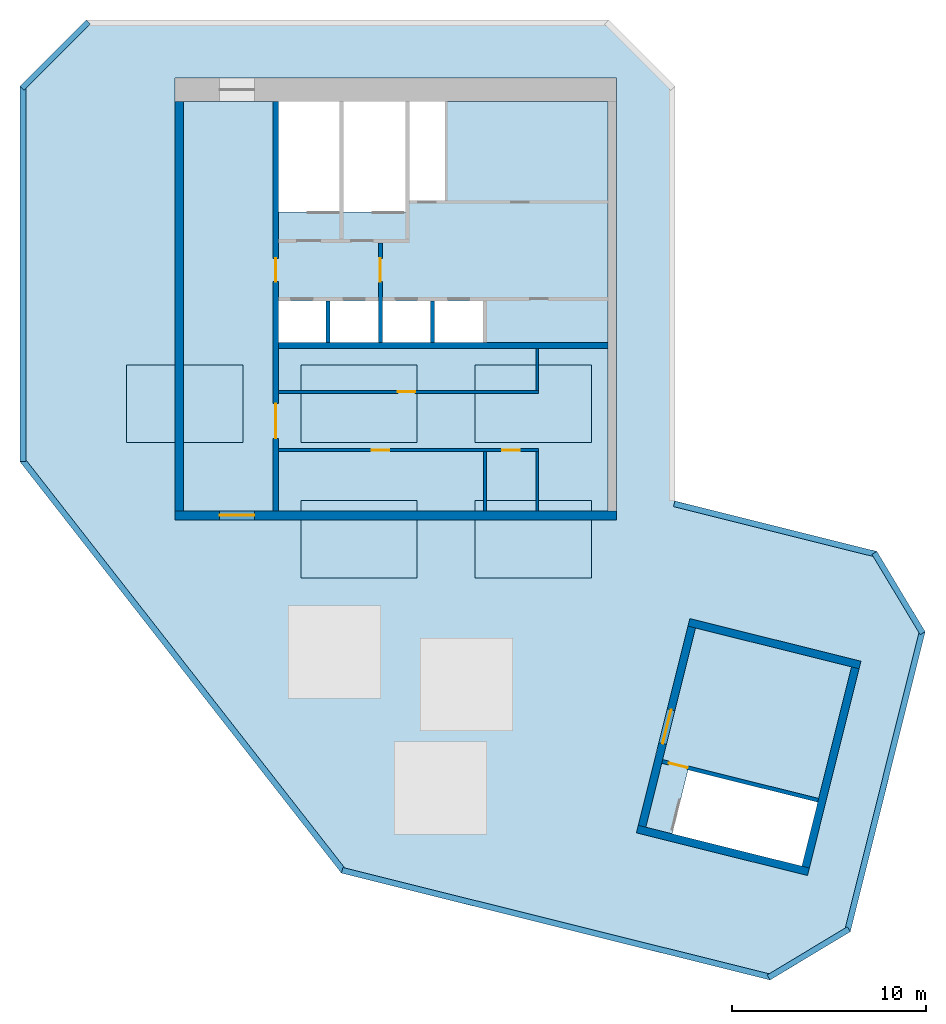
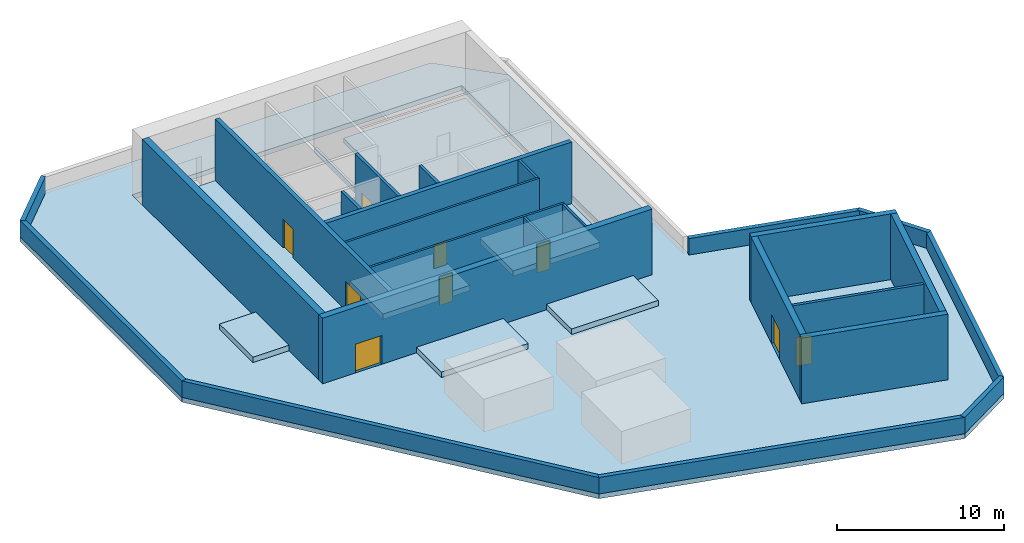
# One storey, part 1 of 4: 25 walls, 9 doors, 8 slabs, 9 openings.
"""IFC4 building model written with IfcOpenShell, lengths in metres."""

from ifc_helpers import new_model, si_unit, direction, frame, frame_2d, origin, place, context, subcontext, project, spatial, polyline, rectangle, outline, extrude, material, layer, layer_set, type_object, element, fill, save


model = new_model("IFC4")

# Units and contexts
model_context = context("Model", 3, precision=1e-05, world=origin(), true_north=direction((0.0, 1.0)))
body_context = subcontext(model_context, "Body", "Model", "MODEL_VIEW")
ifc_project = project(units=[si_unit("LENGTHUNIT", "METRE"), si_unit("AREAUNIT", "SQUARE_METRE"), si_unit("VOLUMEUNIT", "CUBIC_METRE"), si_unit("PLANEANGLEUNIT", "RADIAN"), si_unit("MASSUNIT", "GRAM", prefix="KILO")], contexts=[model_context])

# Site, building, storey
site_placement = place(None, origin())
site = spatial("IfcSite", under=ifc_project, at=site_placement, CompositionType="ELEMENT")
building_placement = place(site_placement, origin())
building = spatial("IfcBuilding", under=site, at=building_placement, Name="Meshkara Civic Tower", CompositionType="ELEMENT")
storey_placement = place(building_placement, frame((0.0, 0.0, 429.0)))
storey = spatial("IfcBuildingStorey", under=building, at=storey_placement, Name="Roof", CompositionType="ELEMENT", Elevation=429.0)

# Slabs
ifc_material_1 = material(Name="Concrete C40/50", Category="concrete")
ifc_layer_1 = layer(ifc_material_1, 0.35009765625)
ifc_layer_set_1 = layer_set([ifc_layer_1], Name="Core floor slab 350 C40/50")
slab_type_1 = type_object("IfcSlabType", Name="Core floor slab 350 C40/50", PredefinedType="FLOOR", material=ifc_layer_set_1)
slab_1_placement = place(storey_placement, frame((0.0, 0.0, -0.35009765625)))
element("IfcSlab", 1, at=slab_1_placement, inside=storey, type_object=slab_type_1, Name="Core floor K", PredefinedType="FLOOR", context=body_context, shape_type="SweptSolid", body=[
    extrude(outline(polyline([(8.449951171875, 35.699951171875), (13.35009765625, 35.699951171875), (13.35009765625, 30.00146484375), (16.5, 30.00146484375), (16.5, 35.699951171875), (16.699951171875, 35.699951171875), (16.699951171875, 30.00146484375), (19.89990234375, 30.00146484375), (19.89990234375, 35.699951171875), (20.10009765625, 35.699951171875), (20.10009765625, 30.574951171875), (21.925048828125, 30.574951171875), (21.925048828125, 35.699951171875), (30.35009765625, 35.699951171875), (30.35009765625, 14.550048828125), (8.449951171875, 14.550048828125), (8.449951171875, 35.699951171875)]), holes=[polyline([(15.800048828125, 23.25), (15.800048828125, 25.39990234375), (13.35009765625, 25.39990234375), (13.35009765625, 23.25), (15.800048828125, 23.25)]), polyline([(18.5, 25.39990234375), (16.0, 25.39990234375), (16.0, 23.25), (18.5, 23.25), (18.5, 25.39990234375)]), polyline([(18.699951171875, 23.25), (21.199951171875, 23.25), (21.199951171875, 25.39990234375), (18.699951171875, 25.39990234375), (18.699951171875, 23.25)]), polyline([(21.39990234375, 23.25), (23.89990234375, 23.25), (23.89990234375, 25.39990234375), (21.39990234375, 25.39990234375), (21.39990234375, 23.25)])]), origin(), (0.0, 0.0, 1.0), 0.35009765625),
])
slab_2_placement = place(storey_placement, frame((0.0, 0.0, -0.35009765625)))
element("IfcSlab", 2, at=slab_2_placement, inside=storey, type_object=slab_type_1, Name="Core floor EB", PredefinedType="FLOOR", context=body_context, shape_type="SweptSolid", body=[
    extrude(outline(polyline([(34.866455078125, 8.51806640625), (42.919921875, 6.510009765625), (41.177978515625, -0.47607421875), (34.484375, 1.19287109375), (33.661865234375, -2.106201171875), (32.302001953125, -1.76708984375), (34.866455078125, 8.51806640625)])), origin(), (0.0, 0.0, 1.0), 0.35009765625),
])
ifc_material_2 = material(Name="Concrete C40", Category="concrete")
ifc_layer_2 = layer(ifc_material_2, 0.39990234375)
ifc_layer_set_2 = layer_set([ifc_layer_2], Name="PLANT PLINTH 400")
slab_type_2 = type_object("IfcSlabType", Name="PLANT PLINTH 400", PredefinedType="USERDEFINED", material=ifc_layer_set_2)
slab_3_placement = place(storey_placement, origin())
element("IfcSlab", 3, at=slab_3_placement, inside=storey, type_object=slab_type_2, Name="Plant plinth", ObjectType="PLANT PLINTH", PredefinedType="USERDEFINED", context=body_context, shape_type="SweptSolid", body=[
    extrude(outline(polyline([(14.498046875, 11.10205078125), (20.498046875, 11.10205078125), (20.498046875, 15.10205078125), (14.498046875, 15.10205078125), (14.498046875, 11.10205078125)])), origin(), (0.0, 0.0, 1.0), 0.39990234375),
])
slab_4_placement = place(storey_placement, origin())
element("IfcSlab", 4, at=slab_4_placement, inside=storey, type_object=slab_type_2, Name="Plant plinth", ObjectType="PLANT PLINTH", PredefinedType="USERDEFINED", context=body_context, shape_type="SweptSolid", body=[
    extrude(outline(polyline([(23.498046875, 11.10205078125), (29.498046875, 11.10205078125), (29.498046875, 15.10205078125), (23.498046875, 15.10205078125), (23.498046875, 11.10205078125)])), origin(), (0.0, 0.0, 1.0), 0.39990234375),
])
slab_5_placement = place(storey_placement, origin())
element("IfcSlab", 5, at=slab_5_placement, inside=storey, type_object=slab_type_2, Name="Plant plinth", ObjectType="PLANT PLINTH", PredefinedType="USERDEFINED", context=body_context, shape_type="SweptSolid", body=[
    extrude(outline(polyline([(5.498046875, 18.10205078125), (11.498046875, 18.10205078125), (11.498046875, 22.10205078125), (5.498046875, 22.10205078125), (5.498046875, 18.10205078125)])), origin(), (0.0, 0.0, 1.0), 0.39990234375),
])
slab_6_placement = place(storey_placement, origin())
element("IfcSlab", 6, at=slab_6_placement, inside=storey, type_object=slab_type_2, Name="Plant plinth", ObjectType="PLANT PLINTH", PredefinedType="USERDEFINED", context=body_context, shape_type="SweptSolid", body=[
    extrude(outline(polyline([(14.498046875, 18.10205078125), (20.498046875, 18.10205078125), (20.498046875, 22.10205078125), (14.498046875, 22.10205078125), (14.498046875, 18.10205078125)])), origin(), (0.0, 0.0, 1.0), 0.39990234375),
])
slab_7_placement = place(storey_placement, origin())
element("IfcSlab", 7, at=slab_7_placement, inside=storey, type_object=slab_type_2, Name="Plant plinth", ObjectType="PLANT PLINTH", PredefinedType="USERDEFINED", context=body_context, shape_type="SweptSolid", body=[
    extrude(outline(polyline([(23.498046875, 18.10205078125), (29.498046875, 18.10205078125), (29.498046875, 22.10205078125), (23.498046875, 22.10205078125), (23.498046875, 18.10205078125)])), origin(), (0.0, 0.0, 1.0), 0.39990234375),
])
ifc_material_3 = material(Name="Concrete C50", Category="concrete")
ifc_layer_3 = layer(ifc_material_3, 0.35009765625)
ifc_layer_set_3 = layer_set([ifc_layer_3], Name="Roof slab 350 C50")
slab_type_3 = type_object("IfcSlabType", Name="Roof slab 350 C50", PredefinedType="ROOF", material=ifc_layer_set_3)
slab_8_placement = place(storey_placement, frame((0.0, 0.0, -0.35009765625)))
element("IfcSlab", 8, at=slab_8_placement, inside=storey, type_object=slab_type_3, Name="Roof slab Roof", PredefinedType="ROOF", context=body_context, shape_type="SweptSolid", body=[
    extrude(outline(polyline([(42.861083984375, -7.162109375), (38.715087890625, -9.653076171875), (16.592041015625, -4.136962890625), (0.0, 17.10009765625), (0.0, 36.47998046875), (3.419921875, 39.89990234375), (30.3798828125, 39.89990234375), (33.800048828125, 36.47998046875), (33.800048828125, 15.071044921875), (44.23095703125, 12.469970703125), (46.721923828125, 8.323974609375), (42.861083984375, -7.162109375)]), holes=[polyline([(40.64697265625, -4.260009765625), (43.405029296875, 6.801025390625), (34.574951171875, 9.0029296875), (31.81689453125, -2.05810546875), (40.64697265625, -4.260009765625)]), polyline([(30.800048828125, 36.89990234375), (8.0, 36.89990234375), (8.0, 14.10009765625), (30.800048828125, 14.10009765625), (30.800048828125, 36.89990234375)])]), origin(), (0.0, 0.0, 1.0), 0.35009765625),
])

# Wall, openings, doors
ifc_material_4 = material(Name="Blockwork", Category="masonry")
ifc_layer_4 = layer(ifc_material_4, 0.14990234375)
ifc_layer_set_4 = layer_set([ifc_layer_4], Name="Core partition 150")
wall_type_1 = type_object("IfcWallType", Name="Core partition 150", PredefinedType="PARTITIONING", material=ifc_layer_set_4)
wall_1_placement = place(storey_placement, frame((13.35009765625, 17.699951171875, 0.0), z_axis=(0.0, 0.0, 1.0), x_axis=(1.0, 0.0, 0.0)))
wall_1 = element("IfcWall", 9, at=wall_1_placement, inside=storey, type_object=wall_type_1, Name="Roof-C005", PredefinedType="PARTITIONING", context=body_context, shape_type="SweptSolid", body=[
    extrude(rectangle(XDim=13.4248046875, YDim=0.14990234375, at=frame_2d((6.71240234375, 0.0))), origin(), (0.0, 0.0, 1.0), 4.5),
])
opening_1_placement = place(wall_1_placement, frame((4.800048828125, 0.0, 0.0)))
opening_1 = element("IfcOpeningElement", 10, at=opening_1_placement, cuts=wall_1, Name="Opening Roof-K005", PredefinedType="OPENING", context=body_context, shape_type="SweptSolid", body=[
    extrude(rectangle(XDim=0.89990234375, YDim=2.10009765625, at=frame_2d((0.449951171875, 1.050048828125))), frame((0.0, 0.0849609375, 0.0), z_axis=(0.0, -1.0, 0.0), x_axis=(1.0, 0.0, 0.0)), (0.0, 0.0, 1.0), 0.169921875),
])
opening_2_placement = place(wall_1_placement, frame((11.550048828125, 0.0, 0.0)))
opening_2 = element("IfcOpeningElement", 11, at=opening_2_placement, cuts=wall_1, Name="Opening Roof-K006", PredefinedType="OPENING", context=body_context, shape_type="SweptSolid", body=[
    extrude(rectangle(XDim=0.89990234375, YDim=2.10009765625, at=frame_2d((0.449951171875, 1.050048828125))), frame((0.0, 0.0849609375, 0.0), z_axis=(0.0, -1.0, 0.0), x_axis=(1.0, 0.0, 0.0)), (0.0, 0.0, 1.0), 0.169921875),
])
ifc_material_5 = material(Name="Timber door leaf in steel frame", Category="steel")
door_type_1 = type_object("IfcDoorType", Name="Core room door 900", OperationType="SINGLE_SWING_LEFT", PredefinedType="DOOR", material=ifc_material_5)
door_1_placement = place(opening_1_placement, origin())
door_1 = element("IfcDoor", 12, at=door_1_placement, inside=storey, type_object=door_type_1, Name="Roof-K005", OperationType="SINGLE_SWING_LEFT", OverallHeight=2.10009765625, OverallWidth=0.89990234375, PredefinedType="DOOR", context=body_context, shape_type="SweptSolid", body=[
    extrude(rectangle(XDim=0.89990234375, YDim=2.10009765625, at=frame_2d((0.449951171875, 1.050048828125))), frame((0.0, 0.02490234375, 0.0), z_axis=(0.0, -1.0, 0.0), x_axis=(1.0, 0.0, 0.0)), (0.0, 0.0, 1.0), 0.050048828125),
])
fill(opening_1, door_1)
door_2_placement = place(opening_2_placement, origin())
door_2 = element("IfcDoor", 13, at=door_2_placement, inside=storey, type_object=door_type_1, Name="Roof-K006", OperationType="SINGLE_SWING_LEFT", OverallHeight=2.10009765625, OverallWidth=0.89990234375, PredefinedType="DOOR", context=body_context, shape_type="SweptSolid", body=[
    extrude(rectangle(XDim=0.89990234375, YDim=2.10009765625, at=frame_2d((0.449951171875, 1.050048828125))), frame((0.0, 0.02490234375, 0.0), z_axis=(0.0, -1.0, 0.0), x_axis=(1.0, 0.0, 0.0)), (0.0, 0.0, 1.0), 0.050048828125),
])
fill(opening_2, door_2)

# Wall, opening, door
wall_2_placement = place(storey_placement, frame((13.35009765625, 20.699951171875, 0.0), z_axis=(0.0, 0.0, 1.0), x_axis=(1.0, 0.0, 0.0)))
wall_2 = element("IfcWall", 14, at=wall_2_placement, inside=storey, type_object=wall_type_1, Name="Roof-C006", PredefinedType="PARTITIONING", context=body_context, shape_type="SweptSolid", body=[
    extrude(rectangle(XDim=13.4248046875, YDim=0.14990234375, at=frame_2d((6.71240234375, 0.0))), origin(), (0.0, 0.0, 1.0), 4.5),
])
opening_3_placement = place(wall_2_placement, frame((6.14990234375, 0.0, 0.0)))
opening_3 = element("IfcOpeningElement", 15, at=opening_3_placement, cuts=wall_2, Name="Opening Roof-K007", PredefinedType="OPENING", context=body_context, shape_type="SweptSolid", body=[
    extrude(rectangle(XDim=0.89990234375, YDim=2.10009765625, at=frame_2d((0.449951171875, 1.050048828125))), frame((0.0, 0.0849609375, 0.0), z_axis=(0.0, -1.0, 0.0), x_axis=(1.0, 0.0, 0.0)), (0.0, 0.0, 1.0), 0.169921875),
])
door_3_placement = place(opening_3_placement, origin())
door_3 = element("IfcDoor", 16, at=door_3_placement, inside=storey, type_object=door_type_1, Name="Roof-K007", OperationType="SINGLE_SWING_RIGHT", OverallHeight=2.10009765625, OverallWidth=0.89990234375, PredefinedType="DOOR", context=body_context, shape_type="SweptSolid", body=[
    extrude(rectangle(XDim=0.89990234375, YDim=2.10009765625, at=frame_2d((0.449951171875, 1.050048828125))), frame((0.0, 0.02490234375, 0.0), z_axis=(0.0, -1.0, 0.0), x_axis=(1.0, 0.0, 0.0)), (0.0, 0.0, 1.0), 0.050048828125),
])
fill(opening_3, door_3)

# Walls
for number, where, z_axis, x_axis, name in (
    (17, (24.0, 14.550048828125, 0.0), (0.0, 0.0, 1.0), (0.0, 1.0, 0.0), "Roof-C018"),
    (18, (26.699951171875, 14.550048828125, 0.0), (0.0, 0.0, 1.0), (0.0, 1.0, 0.0), "Roof-C020"),
):
    element("IfcWall", number, at=place(storey_placement, frame(where, z_axis=z_axis, x_axis=x_axis)), inside=storey, type_object=wall_type_1, Name=name, PredefinedType="PARTITIONING", context=body_context, shape_type="SweptSolid", body=[
        extrude(rectangle(XDim=3.074951171875, YDim=0.14990234375, at=frame_2d((1.53759765625, 0.0))), origin(), (0.0, 0.0, 1.0), 4.5),
    ])
wall_3_placement = place(storey_placement, frame((26.699951171875, 20.77490234375, 0.0), z_axis=(0.0, 0.0, 1.0), x_axis=(0.0, 1.0, 0.0)))
element("IfcWall", 19, at=wall_3_placement, inside=storey, type_object=wall_type_1, Name="Roof-C021", PredefinedType="PARTITIONING", context=body_context, shape_type="SweptSolid", body=[
    extrude(rectangle(XDim=2.175048828125, YDim=0.14990234375, at=frame_2d((1.08740234375, 0.0))), origin(), (0.0, 0.0, 1.0), 4.5),
])

# Wall, opening, door
ifc_material_6 = material(Name="Concrete C50", Category="concrete")
ifc_layer_5 = layer(ifc_material_6, 0.449951171875)
ifc_layer_set_5 = layer_set([ifc_layer_5], Name="Core ring wall 450 C50")
wall_type_2 = type_object("IfcWallType", Name="Core ring wall 450 C50", PredefinedType="SHEAR", material=ifc_layer_set_5)
wall_4_placement = place(storey_placement, frame((8.0, 14.324951171875, -0.35009765625), z_axis=(0.0, 0.0, 1.0), x_axis=(1.0, 0.0, 0.0)))
wall_4 = element("IfcWall", 20, at=wall_4_placement, inside=storey, type_object=wall_type_2, Name="Roof-C001", PredefinedType="SHEAR", context=body_context, shape_type="SweptSolid", body=[
    extrude(rectangle(XDim=22.800048828125, YDim=0.449951171875, at=frame_2d((11.39990234375, 0.0))), origin(), (0.0, 0.0, 1.0), 5.150146484375),
])
opening_4_placement = place(wall_4_placement, frame((2.300048828125, 0.0, 0.35009765625)))
opening_4 = element("IfcOpeningElement", 21, at=opening_4_placement, cuts=wall_4, Name="Opening Roof-K017", PredefinedType="OPENING", context=body_context, shape_type="SweptSolid", body=[
    extrude(rectangle(XDim=1.800048828125, YDim=2.10009765625, at=frame_2d((0.89990234375, 1.050048828125))), frame((0.0, 0.23486328125, 0.0), z_axis=(0.0, -1.0, 0.0), x_axis=(1.0, 0.0, 0.0)), (0.0, 0.0, 1.0), 0.469970703125),
])
ifc_material_7 = material(Name="Fire-rated door leaf in steel frame", Category="steel")
door_type_2 = type_object("IfcDoorType", Name="Core double door 1800 EI 60", OperationType="DOUBLE_DOOR_SINGLE_SWING", PredefinedType="DOOR", material=ifc_material_7)
door_4_placement = place(opening_4_placement, origin())
door_4 = element("IfcDoor", 22, at=door_4_placement, inside=storey, type_object=door_type_2, Name="Roof-K017", OperationType="DOUBLE_DOOR_SINGLE_SWING", OverallHeight=2.10009765625, OverallWidth=1.800048828125, PredefinedType="DOOR", context=body_context, shape_type="SweptSolid", body=[
    extrude(rectangle(XDim=1.800048828125, YDim=2.10009765625, at=frame_2d((0.89990234375, 1.050048828125))), frame((0.0, 0.02490234375, 0.0), z_axis=(0.0, -1.0, 0.0), x_axis=(1.0, 0.0, 0.0)), (0.0, 0.0, 1.0), 0.050048828125),
])
fill(opening_4, door_4)

# Walls
wall_5_placement = place(storey_placement, frame((8.22509765625, 14.550048828125, -0.35009765625), z_axis=(0.0, 0.0, 1.0), x_axis=(0.0, 1.0, 0.0)))
element("IfcWall", 23, at=wall_5_placement, inside=storey, type_object=wall_type_2, Name="Roof-C003", PredefinedType="SHEAR", context=body_context, shape_type="SweptSolid", body=[
    extrude(rectangle(XDim=21.14990234375, YDim=0.449951171875, at=frame_2d((10.574951171875, 0.0))), origin(), (0.0, 0.0, 1.0), 5.150146484375),
])
ifc_material_8 = material(Name="Concrete C50", Category="concrete")
ifc_layer_6 = layer(ifc_material_8, 0.300048828125)
ifc_layer_set_6 = layer_set([ifc_layer_6], Name="Core shear wall 300 C50")
wall_type_3 = type_object("IfcWallType", Name="Core shear wall 300 C50", PredefinedType="SHEAR", material=ifc_layer_set_6)
wall_6_placement = place(storey_placement, frame((13.35009765625, 23.10009765625, 0.0), z_axis=(0.0, 0.0, 1.0), x_axis=(1.0, 0.0, 0.0)))
element("IfcWall", 24, at=wall_6_placement, inside=storey, type_object=wall_type_3, Name="Roof-C007", PredefinedType="SHEAR", context=body_context, shape_type="SweptSolid", body=[
    extrude(rectangle(XDim=17.0, YDim=0.300048828125, at=frame_2d((8.5, 0.0))), origin(), (0.0, 0.0, 1.0), 4.5),
])

# Wall, openings, doors
wall_7_placement = place(storey_placement, frame((13.199951171875, 14.550048828125, 0.0), z_axis=(0.0, 0.0, 1.0), x_axis=(0.0, 1.0, 0.0)))
wall_7 = element("IfcWall", 25, at=wall_7_placement, inside=storey, type_object=wall_type_3, Name="Roof-C011", PredefinedType="SHEAR", context=body_context, shape_type="SweptSolid", body=[
    extrude(rectangle(XDim=21.14990234375, YDim=0.300048828125, at=frame_2d((10.574951171875, 0.0))), origin(), (0.0, 0.0, 1.0), 4.5),
])
opening_5_placement = place(wall_7_placement, frame((3.75, 0.0, 0.0)))
opening_5 = element("IfcOpeningElement", 26, at=opening_5_placement, cuts=wall_7, Name="Opening Roof-K013", PredefinedType="OPENING", context=body_context, shape_type="SweptSolid", body=[
    extrude(rectangle(XDim=1.800048828125, YDim=2.10009765625, at=frame_2d((0.89990234375, 1.050048828125))), frame((0.0, 0.159912109375, 0.0), z_axis=(0.0, -1.0, 0.0), x_axis=(1.0, 0.0, 0.0)), (0.0, 0.0, 1.0), 0.320068359375),
])
opening_6_placement = place(wall_7_placement, frame((11.85009765625, 0.0, 0.0)))
opening_6 = element("IfcOpeningElement", 27, at=opening_6_placement, cuts=wall_7, Name="Opening Roof-K014", PredefinedType="OPENING", context=body_context, shape_type="SweptSolid", body=[
    extrude(rectangle(XDim=1.199951171875, YDim=2.10009765625, at=frame_2d((0.60009765625, 1.050048828125))), frame((0.0, 0.159912109375, 0.0), z_axis=(0.0, -1.0, 0.0), x_axis=(1.0, 0.0, 0.0)), (0.0, 0.0, 1.0), 0.320068359375),
])
door_5_placement = place(opening_5_placement, origin())
door_5 = element("IfcDoor", 28, at=door_5_placement, inside=storey, type_object=door_type_2, Name="Roof-K013", OperationType="DOUBLE_DOOR_SINGLE_SWING", OverallHeight=2.10009765625, OverallWidth=1.800048828125, PredefinedType="DOOR", context=body_context, shape_type="SweptSolid", body=[
    extrude(rectangle(XDim=1.800048828125, YDim=2.10009765625, at=frame_2d((0.89990234375, 1.050048828125))), frame((0.0, 0.02490234375, 0.0), z_axis=(0.0, -1.0, 0.0), x_axis=(1.0, 0.0, 0.0)), (0.0, 0.0, 1.0), 0.050048828125),
])
fill(opening_5, door_5)
ifc_material_9 = material(Name="Fire-rated door leaf in steel frame", Category="steel")
door_type_3 = type_object("IfcDoorType", Name="Fire-fighting lobby door 1200 EI 120", OperationType="SINGLE_SWING_LEFT", PredefinedType="DOOR", material=ifc_material_9)
door_6_placement = place(opening_6_placement, origin())
door_6 = element("IfcDoor", 29, at=door_6_placement, inside=storey, type_object=door_type_3, Name="Roof-K014", OperationType="SINGLE_SWING_LEFT", OverallHeight=2.10009765625, OverallWidth=1.199951171875, PredefinedType="DOOR", context=body_context, shape_type="SweptSolid", body=[
    extrude(rectangle(XDim=1.199951171875, YDim=2.10009765625, at=frame_2d((0.60009765625, 1.050048828125))), frame((0.0, 0.02490234375, 0.0), z_axis=(0.0, -1.0, 0.0), x_axis=(1.0, 0.0, 0.0)), (0.0, 0.0, 1.0), 0.050048828125),
])
fill(opening_6, door_6)

# Walls
ifc_material_10 = material(Name="Concrete C50", Category="concrete")
ifc_layer_7 = layer(ifc_material_10, 0.39990234375)
ifc_layer_set_7 = layer_set([ifc_layer_7], Name="End core ring wall 400 C50")
wall_type_4 = type_object("IfcWallType", Name="End core ring wall 400 C50", PredefinedType="SHEAR", material=ifc_layer_set_7)
wall_8_placement = place(storey_placement, frame((31.865966796875, -1.864013671875, -0.35009765625), z_axis=(0.0, 0.0, 1.0), x_axis=(0.970281225948, -0.241980045814, 0.0)))
element("IfcWall", 30, at=wall_8_placement, inside=storey, type_object=wall_type_4, Name="Roof-C022", PredefinedType="SHEAR", context=body_context, shape_type="SweptSolid", body=[
    extrude(rectangle(XDim=9.099609375, YDim=0.39990234375, at=frame_2d((4.5498046875, 0.0))), origin(), (0.0, 0.0, 1.0), 5.150146484375),
])
wall_9_placement = place(storey_placement, frame((34.527099609375, 8.80908203125, -0.35009765625), z_axis=(0.0, 0.0, 1.0), x_axis=(0.970273354879, -0.242011604707, 0.0)))
element("IfcWall", 31, at=wall_9_placement, inside=storey, type_object=wall_type_4, Name="Roof-C023", PredefinedType="SHEAR", context=body_context, shape_type="SweptSolid", body=[
    extrude(rectangle(XDim=9.099365234375, YDim=0.39990234375, at=frame_2d((4.5498046875, 0.0))), origin(), (0.0, 0.0, 1.0), 5.150146484375),
])

# Wall, opening, door
wall_10_placement = place(storey_placement, frame((32.10791015625, -1.718994140625, -0.35009765625), z_axis=(0.0, 0.0, 1.0), x_axis=(0.241912337509, 0.970298109326, 0.0)))
wall_10 = element("IfcWall", 32, at=wall_10_placement, inside=storey, type_object=wall_type_4, Name="Roof-C024", PredefinedType="SHEAR", context=body_context, shape_type="SweptSolid", body=[
    extrude(rectangle(XDim=10.599853515625, YDim=0.39990234375, at=frame_2d((5.2998046875, 0.0))), origin(), (0.0, 0.0, 1.0), 5.150146484375),
])
opening_7_placement = place(wall_10_placement, frame((4.39990234375, 0.0, 0.35009765625)))
opening_7 = element("IfcOpeningElement", 33, at=opening_7_placement, cuts=wall_10, Name="Opening Roof-K202", PredefinedType="OPENING", context=body_context, shape_type="SweptSolid", body=[
    extrude(rectangle(XDim=1.800048828125, YDim=2.10009765625, at=frame_2d((0.89990234375, 1.050048828125))), frame((0.0, 0.2099609375, 0.0), z_axis=(0.0, -1.0, 0.0), x_axis=(1.0, 0.0, 0.0)), (0.0, 0.0, 1.0), 0.419921875),
])
door_7_placement = place(opening_7_placement, origin())
door_7 = element("IfcDoor", 34, at=door_7_placement, inside=storey, type_object=door_type_2, Name="Roof-K202", OperationType="DOUBLE_DOOR_SINGLE_SWING", OverallHeight=2.10009765625, OverallWidth=1.800048828125, PredefinedType="DOOR", context=body_context, shape_type="SweptSolid", body=[
    extrude(rectangle(XDim=1.800048828125, YDim=2.10009765625, at=frame_2d((0.89990234375, 1.050048828125))), frame((0.0, 0.02490234375, 0.0), z_axis=(0.0, -1.0, 0.0), x_axis=(1.0, 0.0, 0.0)), (0.0, 0.0, 1.0), 0.050048828125),
])
fill(opening_7, door_7)

# Walls
wall_11_placement = place(storey_placement, frame((40.550048828125, -3.822998046875, -0.35009765625), z_axis=(0.0, 0.0, 1.0), x_axis=(0.241890652548, 0.970303515509, 0.0)))
element("IfcWall", 35, at=wall_11_placement, inside=storey, type_object=wall_type_4, Name="Roof-C025", PredefinedType="SHEAR", context=body_context, shape_type="SweptSolid", body=[
    extrude(rectangle(XDim=10.599609375, YDim=0.39990234375, at=frame_2d((5.2998046875, 0.0))), origin(), (0.0, 0.0, 1.0), 5.150146484375),
])
ifc_material_11 = material(Name="Concrete C40", Category="concrete")
ifc_layer_8 = layer(ifc_material_11, 0.300048828125)
ifc_layer_set_8 = layer_set([ifc_layer_8], Name="ROOF EDGE PARAPET 300")
wall_type_5 = type_object("IfcWallType", Name="ROOF EDGE PARAPET 300", PredefinedType="PARAPET", material=ifc_layer_set_8)
wall_12_placement = place(storey_placement, frame((44.195068359375, 12.323974609375, 0.0), z_axis=(0.0, 0.0, 1.0), x_axis=(-0.970289266391, 0.241947803308, 0.0)))
element("IfcWall", 36, at=wall_12_placement, inside=storey, type_object=wall_type_5, Name="Roof parapet", PredefinedType="PARAPET", context=body_context, shape_type="SweptSolid", body=[
    extrude(rectangle(XDim=10.75048828125, YDim=0.300048828125, at=frame_2d((5.375244140625, 0.0))), origin(), (0.0, 0.0, 1.0), 1.199951171875),
])
wall_13_placement = place(storey_placement, frame((3.52587890625, 39.7939453125, 0.0), z_axis=(0.0, 0.0, 1.0), x_axis=(-0.707106781187, -0.707106781187, 0.0)))
element("IfcWall", 37, at=wall_13_placement, inside=storey, type_object=wall_type_5, Name="Roof parapet", PredefinedType="PARAPET", context=body_context, shape_type="SweptSolid", body=[
    extrude(rectangle(XDim=4.83642578125, YDim=0.300048828125, at=frame_2d((2.418212890625, 0.0))), origin(), (0.0, 0.0, 1.0), 1.199951171875),
])
wall_14_placement = place(storey_placement, frame((0.14990234375, 36.47998046875, 0.0), z_axis=(0.0, 0.0, 1.0), x_axis=(0.0, -1.0, 0.0)))
element("IfcWall", 38, at=wall_14_placement, inside=storey, type_object=wall_type_5, Name="Roof parapet", PredefinedType="PARAPET", context=body_context, shape_type="SweptSolid", body=[
    extrude(rectangle(XDim=19.3798828125, YDim=0.300048828125, at=frame_2d((9.68994140625, 0.0))), origin(), (0.0, 0.0, 1.0), 1.199951171875),
])
wall_15_placement = place(storey_placement, frame((0.117919921875, 17.19189453125, 0.0), z_axis=(0.0, 0.0, 1.0), x_axis=(0.615661973125, -0.788010364683, 0.0)))
element("IfcWall", 39, at=wall_15_placement, inside=storey, type_object=wall_type_5, Name="Roof parapet", PredefinedType="PARAPET", context=body_context, shape_type="SweptSolid", body=[
    extrude(rectangle(XDim=26.949951171875, YDim=0.300048828125, at=frame_2d((13.47509765625, 0.0))), origin(), (0.0, 0.0, 1.0), 1.199951171875),
])
wall_16_placement = place(storey_placement, frame((16.6279296875, -3.990966796875, 0.0), z_axis=(0.0, 0.0, 1.0), x_axis=(0.97029347994, -0.241930904981, 0.0)))
element("IfcWall", 40, at=wall_16_placement, inside=storey, type_object=wall_type_5, Name="Roof parapet", PredefinedType="PARAPET", context=body_context, shape_type="SweptSolid", body=[
    extrude(rectangle(XDim=22.80029296875, YDim=0.300048828125, at=frame_2d((11.400146484375, 0.0))), origin(), (0.0, 0.0, 1.0), 1.199951171875),
])
wall_17_placement = place(storey_placement, frame((38.637939453125, -9.52392578125, 0.0), z_axis=(0.0, 0.0, 1.0), x_axis=(0.857185462255, 0.515007847803, 0.0)))
element("IfcWall", 41, at=wall_17_placement, inside=storey, type_object=wall_type_5, Name="Roof parapet", PredefinedType="PARAPET", context=body_context, shape_type="SweptSolid", body=[
    extrude(rectangle(XDim=4.836669921875, YDim=0.300048828125, at=frame_2d((2.41845703125, 0.0))), origin(), (0.0, 0.0, 1.0), 1.199951171875),
])
wall_18_placement = place(storey_placement, frame((42.715087890625, -7.1259765625, 0.0), z_axis=(0.0, 0.0, 1.0), x_axis=(0.241905700201, 0.970299764099, 0.0)))
element("IfcWall", 42, at=wall_18_placement, inside=storey, type_object=wall_type_5, Name="Roof parapet", PredefinedType="PARAPET", context=body_context, shape_type="SweptSolid", body=[
    extrude(rectangle(XDim=15.960205078125, YDim=0.300048828125, at=frame_2d((7.97998046875, 0.0))), origin(), (0.0, 0.0, 1.0), 1.199951171875),
])
wall_19_placement = place(storey_placement, frame((46.593017578125, 8.2470703125, 0.0), z_axis=(0.0, 0.0, 1.0), x_axis=(-0.515007847803, 0.857185462255, 0.0)))
element("IfcWall", 43, at=wall_19_placement, inside=storey, type_object=wall_type_5, Name="Roof parapet", PredefinedType="PARAPET", context=body_context, shape_type="SweptSolid", body=[
    extrude(rectangle(XDim=4.836669921875, YDim=0.300048828125, at=frame_2d((2.41845703125, 0.0))), origin(), (0.0, 0.0, 1.0), 1.199951171875),
])
ifc_material_12 = material(Name="Concrete C40/50", Category="concrete")
ifc_layer_9 = layer(ifc_material_12, 0.199951171875)
ifc_layer_set_9 = layer_set([ifc_layer_9], Name="Shaft wall 200 C40/50")
wall_type_6 = type_object("IfcWallType", Name="Shaft wall 200 C40/50", PredefinedType="SOLIDWALL", material=ifc_layer_set_9)
wall_20_placement = place(storey_placement, frame((15.89990234375, 23.25, 0.0), z_axis=(0.0, 0.0, 1.0), x_axis=(0.0, 1.0, 0.0)))
element("IfcWall", 44, at=wall_20_placement, inside=storey, type_object=wall_type_6, Name="Roof-C012", PredefinedType="SOLIDWALL", context=body_context, shape_type="SweptSolid", body=[
    extrude(rectangle(XDim=2.14990234375, YDim=0.199951171875, at=frame_2d((1.074951171875, 0.0))), origin(), (0.0, 0.0, 1.0), 4.5),
])

# Wall, opening, door
wall_21_placement = place(storey_placement, frame((18.60009765625, 23.25, 0.0), z_axis=(0.0, 0.0, 1.0), x_axis=(0.0, 1.0, 0.0)))
wall_21 = element("IfcWall", 45, at=wall_21_placement, inside=storey, type_object=wall_type_6, Name="Roof-C014", PredefinedType="SOLIDWALL", context=body_context, shape_type="SweptSolid", body=[
    extrude(rectangle(XDim=5.14990234375, YDim=0.199951171875, at=frame_2d((2.574951171875, 0.0))), origin(), (0.0, 0.0, 1.0), 4.5),
])
opening_8_placement = place(wall_21_placement, frame((3.14990234375, 0.0, 0.0)))
opening_8 = element("IfcOpeningElement", 46, at=opening_8_placement, cuts=wall_21, Name="Opening Roof-K015", PredefinedType="OPENING", context=body_context, shape_type="SweptSolid", body=[
    extrude(rectangle(XDim=1.199951171875, YDim=2.10009765625, at=frame_2d((0.60009765625, 1.050048828125))), frame((0.0, 0.10986328125, 0.0), z_axis=(0.0, -1.0, 0.0), x_axis=(1.0, 0.0, 0.0)), (0.0, 0.0, 1.0), 0.219970703125),
])
door_8_placement = place(opening_8_placement, origin())
door_8 = element("IfcDoor", 47, at=door_8_placement, inside=storey, type_object=door_type_3, Name="Roof-K015", OperationType="SINGLE_SWING_RIGHT", OverallHeight=2.10009765625, OverallWidth=1.199951171875, PredefinedType="DOOR", context=body_context, shape_type="SweptSolid", body=[
    extrude(rectangle(XDim=1.199951171875, YDim=2.10009765625, at=frame_2d((0.60009765625, 1.050048828125))), frame((0.0, 0.02490234375, 0.0), z_axis=(0.0, -1.0, 0.0), x_axis=(1.0, 0.0, 0.0)), (0.0, 0.0, 1.0), 0.050048828125),
])
fill(opening_8, door_8)

# Wall
wall_22_placement = place(storey_placement, frame((21.300048828125, 23.25, 0.0), z_axis=(0.0, 0.0, 1.0), x_axis=(0.0, 1.0, 0.0)))
element("IfcWall", 48, at=wall_22_placement, inside=storey, type_object=wall_type_6, Name="Roof-C016", PredefinedType="SOLIDWALL", context=body_context, shape_type="SweptSolid", body=[
    extrude(rectangle(XDim=2.14990234375, YDim=0.199951171875, at=frame_2d((1.074951171875, 0.0))), origin(), (0.0, 0.0, 1.0), 4.5),
])

# Wall, opening, door
ifc_material_13 = material(Name="Concrete C40/50", Category="concrete")
ifc_layer_10 = layer(ifc_material_13, 0.199951171875)
ifc_layer_set_10 = layer_set([ifc_layer_10], Name="Stair enclosure wall 200 C40/50")
wall_type_7 = type_object("IfcWallType", Name="Stair enclosure wall 200 C40/50", PredefinedType="SOLIDWALL", material=ifc_layer_set_10)
wall_23_placement = place(storey_placement, frame((33.14892578125, 1.62890625, 0.0), z_axis=(0.0, 0.0, 1.0), x_axis=(0.970296307498, -0.241919564434, 0.0)))
wall_23 = element("IfcWall", 49, at=wall_23_placement, inside=storey, type_object=wall_type_7, Name="Roof-C026", PredefinedType="SOLIDWALL", context=body_context, shape_type="SweptSolid", body=[
    extrude(rectangle(XDim=8.299560546875, YDim=0.199951171875, at=frame_2d((4.14990234375, 0.0))), origin(), (0.0, 0.0, 1.0), 4.5),
])
opening_9_placement = place(wall_23_placement, frame((0.35009765625, 0.0, 0.0)))
opening_9 = element("IfcOpeningElement", 50, at=opening_9_placement, cuts=wall_23, Name="Opening Roof-K201", PredefinedType="OPENING", context=body_context, shape_type="SweptSolid", body=[
    extrude(rectangle(XDim=1.0, YDim=2.10009765625, at=frame_2d((0.5, 1.050048828125))), frame((0.0, 0.10986328125, 0.0), z_axis=(0.0, -1.0, 0.0), x_axis=(1.0, 0.0, 0.0)), (0.0, 0.0, 1.0), 0.219970703125),
])
ifc_material_14 = material(Name="Fire-rated door leaf in steel frame", Category="steel")
door_type_4 = type_object("IfcDoorType", Name="Stair door 1000 EI 120", OperationType="SINGLE_SWING_LEFT", PredefinedType="DOOR", material=ifc_material_14)
door_9_placement = place(opening_9_placement, origin())
door_9 = element("IfcDoor", 51, at=door_9_placement, inside=storey, type_object=door_type_4, Name="Roof-K201", OperationType="SINGLE_SWING_LEFT", OverallHeight=2.10009765625, OverallWidth=1.0, PredefinedType="DOOR", context=body_context, shape_type="SweptSolid", body=[
    extrude(rectangle(XDim=1.0, YDim=2.10009765625, at=frame_2d((0.5, 1.050048828125))), frame((0.0, 0.02490234375, 0.0), z_axis=(0.0, -1.0, 0.0), x_axis=(1.0, 0.0, 0.0)), (0.0, 0.0, 1.0), 0.050048828125),
])
fill(opening_9, door_9)

save(model, "model.ifc")
